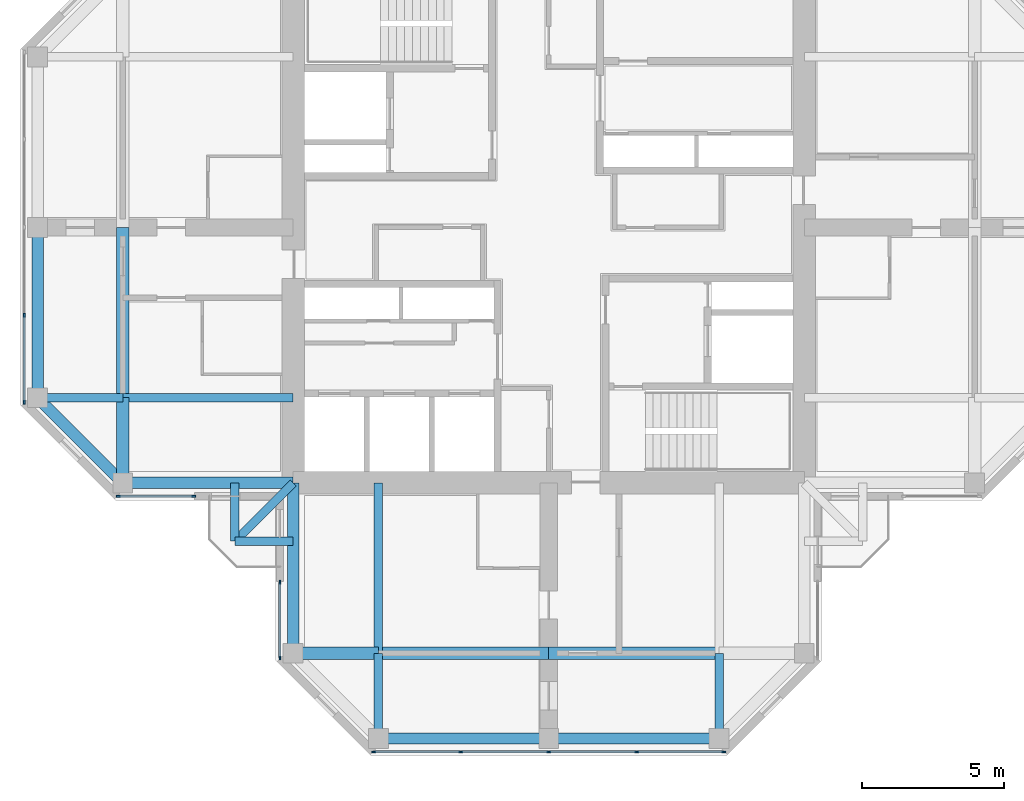
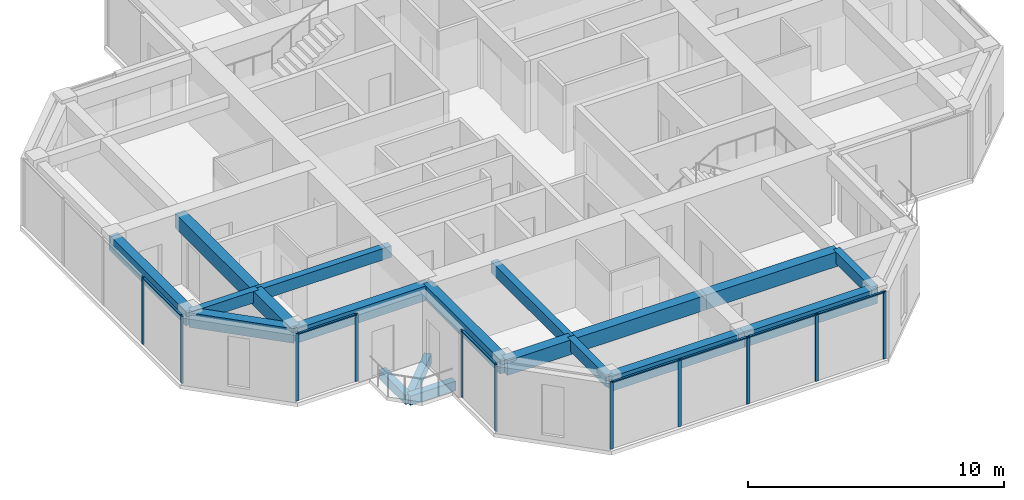
# One storey, part 2 of 13: 19 beams, 18 members, 4 elements without a shape of their own.
"""IFC4 building model written with IfcOpenShell, lengths in metres."""

from ifc_helpers import new_model, si_unit, direction, frame, origin, origin_2d, place, context, subcontext, project, spatial, rectangle, extrude, material, material_profile, profile_set, type_object, element, aggregate, save


model = new_model("IFC4")

# Units and contexts
model_context = context("Model", 3, precision=1e-05, world=origin(), true_north=direction((0.0, 1.0)))
body_context = subcontext(model_context, "Body", "Model", "MODEL_VIEW")
ifc_project = project(units=[si_unit("LENGTHUNIT", "METRE"), si_unit("AREAUNIT", "SQUARE_METRE"), si_unit("VOLUMEUNIT", "CUBIC_METRE"), si_unit("PLANEANGLEUNIT", "RADIAN"), si_unit("MASSUNIT", "GRAM", prefix="KILO")], contexts=[model_context])

# Site, building, storey
site_placement = place(None, origin())
site = spatial("IfcSite", under=ifc_project, at=site_placement, CompositionType="ELEMENT")
building_placement = place(site_placement, origin())
building = spatial("IfcBuilding", under=site, at=building_placement, Name="Torre Cruceta", CompositionType="ELEMENT")
storey_placement = place(building_placement, frame((0.0, 0.0, 274.699951171875)))
storey = spatial("IfcBuildingStorey", under=building, at=storey_placement, Name="L71", CompositionType="ELEMENT", Elevation=274.699951171875)

# Beams
ifc_material_1 = material(Name="Concrete G60 (fck 60 MPa)", Category="concrete")
ifc_material_profile_1 = material_profile(ifc_material_1, rectangle(XDim=0.300048828125, YDim=0.449951171875, at=origin_2d()), Name="RC 300X450")
ifc_profile_set_1 = profile_set([ifc_material_profile_1], Name="Concrete G60 (fck 60 MPa)")
beam_type_1 = type_object("IfcBeamType", Name="BALCONY CANTILEVER BEAM RC 300X450", PredefinedType="BEAM", material=ifc_profile_set_1)
beam_1_placement = place(storey_placement, frame((-9.0, -9.0, -0.405029296875), z_axis=(-0.707106781187, -0.707106781187, 0.0), x_axis=(0.707106781187, -0.707106781187, 0.0)))
element("IfcBeam", 1, at=beam_1_placement, inside=storey, type_object=beam_type_1, Name="BB1 balcony beam L71 W", PredefinedType="BEAM", context=body_context, shape_type="SweptSolid", body=[
    extrude(rectangle(XDim=0.300048828125, YDim=0.449951171875, at=origin_2d()), origin(), (0.0, 0.0, 1.0), 2.89990234375),
])
for number, where, z_axis, x_axis, name in (
    (2, (-11.050537109375, -9.0, -0.405029296875), (0.0, -1.0, 0.0), (1.0, 0.0, 0.0), "BB1 balcony edge beam L71 W-X"),
    (3, (-9.0, -11.050537109375, -0.405029296875), (-1.0, 0.0, 0.0), (0.0, -1.0, 0.0), "BB1 balcony edge beam L71 W-Y"),
):
    element("IfcBeam", number, at=place(storey_placement, frame(where, z_axis=z_axis, x_axis=x_axis)), inside=storey, type_object=beam_type_1, Name=name, PredefinedType="BEAM", context=body_context, shape_type="SweptSolid", body=[
        extrude(rectangle(XDim=0.300048828125, YDim=0.449951171875, at=origin_2d()), origin(), (0.0, 0.0, 1.0), 2.050537109375),
    ])
ifc_material_2 = material(Name="Concrete G60 (fck 60 MPa)", Category="concrete")
ifc_material_profile_2 = material_profile(ifc_material_2, rectangle(XDim=0.300048828125, YDim=0.550048828125, at=origin_2d()), Name="RC 300X550")
ifc_profile_set_2 = profile_set([ifc_material_profile_2], Name="Concrete G60 (fck 60 MPa)")
beam_type_2 = type_object("IfcBeamType", Name="COLUMN LINE BEAM RC 300X550", PredefinedType="BEAM", material=ifc_profile_set_2)
beam_2_placement = place(storey_placement, frame((-6.0, -9.0, 2.945068359375), z_axis=(0.0, -1.0, 0.0), x_axis=(1.0, 0.0, 0.0)))
element("IfcBeam", 4, at=beam_2_placement, inside=storey, type_object=beam_type_2, Name="LB10 L71 S col- 1", PredefinedType="BEAM", context=body_context, shape_type="SweptSolid", body=[
    extrude(rectangle(XDim=0.300048828125, YDim=0.550048828125, at=origin_2d()), origin(), (0.0, 0.0, 1.0), 6.0),
])
for number, where, z_axis, x_axis, name in (
    (5, (-6.0, -15.0, 2.945068359375), (0.0, -1.0, 0.0), (1.0, 0.0, 0.0), "LB10 L71 S col- 2"),
    (6, (6.0, -15.0, 2.945068359375), (0.0, -1.0, 0.0), (1.0, 0.0, 0.0), "LB10 L71 S col+ 2"),
):
    element("IfcBeam", number, at=place(storey_placement, frame(where, z_axis=z_axis, x_axis=x_axis)), inside=storey, type_object=beam_type_2, Name=name, PredefinedType="BEAM", context=body_context, shape_type="SweptSolid", body=[
        extrude(rectangle(XDim=0.300048828125, YDim=0.550048828125, at=origin_2d()), origin(), (0.0, 0.0, 1.0), 3.0),
    ])
beam_3_placement = place(storey_placement, frame((-9.0, -6.0, 2.945068359375), z_axis=(-1.0, 0.0, 0.0), x_axis=(0.0, -1.0, 0.0)))
element("IfcBeam", 7, at=beam_3_placement, inside=storey, type_object=beam_type_2, Name="LB10 L71 W col+ 1", PredefinedType="BEAM", context=body_context, shape_type="SweptSolid", body=[
    extrude(rectangle(XDim=0.300048828125, YDim=0.550048828125, at=origin_2d()), origin(), (0.0, 0.0, 1.0), 6.0),
])
beam_4_placement = place(storey_placement, frame((-15.0, -6.0, 2.945068359375), z_axis=(-1.0, 0.0, 0.0), x_axis=(0.0, -1.0, 0.0)))
element("IfcBeam", 8, at=beam_4_placement, inside=storey, type_object=beam_type_2, Name="LB10 L71 W col+ 2", PredefinedType="BEAM", context=body_context, shape_type="SweptSolid", body=[
    extrude(rectangle(XDim=0.300048828125, YDim=0.550048828125, at=origin_2d()), origin(), (0.0, 0.0, 1.0), 3.0),
])
ifc_material_3 = material(Name="Concrete G60 (fck 60 MPa)", Category="concrete")
ifc_material_profile_3 = material_profile(ifc_material_3, rectangle(XDim=0.449951171875, YDim=0.699951171875, at=origin_2d()), Name="RC 450X700")
ifc_profile_set_3 = profile_set([ifc_material_profile_3], Name="Concrete G60 (fck 60 MPa)")
beam_type_3 = type_object("IfcBeamType", Name="CROSS BEAM RC 450X700", PredefinedType="BEAM", material=ifc_profile_set_3)
beam_5_placement = place(storey_placement, frame((-9.0, -15.0, 2.8701171875), z_axis=(1.0, 0.0, 0.0), x_axis=(0.0, 1.0, 0.0)))
element("IfcBeam", 9, at=beam_5_placement, inside=storey, type_object=beam_type_3, Name="GB8 L71 S cross15 1", PredefinedType="BEAM", context=body_context, shape_type="SweptSolid", body=[
    extrude(rectangle(XDim=0.449951171875, YDim=0.699951171875, at=origin_2d()), origin(), (0.0, 0.0, 1.0), 3.0),
])
for number, where, z_axis, x_axis, name in (
    (10, (-6.0, -15.0, 2.8701171875), (1.0, 0.0, 0.0), (0.0, 1.0, 0.0), "GB8 L71 S cross15 2"),
    (11, (0.0, -15.0, 2.8701171875), (1.0, 0.0, 0.0), (0.0, 1.0, 0.0), "GB8 L71 S cross15 3"),
    (12, (-15.0, 0.0, 2.8701171875), (0.0, -1.0, 0.0), (1.0, 0.0, 0.0), "GB8 L71 W cross15 3"),
):
    element("IfcBeam", number, at=place(storey_placement, frame(where, z_axis=z_axis, x_axis=x_axis)), inside=storey, type_object=beam_type_3, Name=name, PredefinedType="BEAM", context=body_context, shape_type="SweptSolid", body=[
        extrude(rectangle(XDim=0.449951171875, YDim=0.699951171875, at=origin_2d()), origin(), (0.0, 0.0, 1.0), 6.0),
    ])
beam_6_placement = place(storey_placement, frame((-15.0, -6.0, 2.8701171875), z_axis=(0.0, -1.0, 0.0), x_axis=(1.0, 0.0, 0.0)))
element("IfcBeam", 13, at=beam_6_placement, inside=storey, type_object=beam_type_3, Name="GB8 L71 W cross15 4", PredefinedType="BEAM", context=body_context, shape_type="SweptSolid", body=[
    extrude(rectangle(XDim=0.449951171875, YDim=0.699951171875, at=origin_2d()), origin(), (0.0, 0.0, 1.0), 3.0),
])

# Curtain wall, members
ifc_material_4 = material(Name="Aluminium unitised curtain wall", Category="aluminium")
curtain_wall_type = type_object("IfcCurtainWallType", Name="CURTAIN WALL CW-E CO-LIVING TOP", PredefinedType="USERDEFINED", material=ifc_material_4)
curtain_wall_1_placement = place(storey_placement, origin())
curtain_wall_1 = element("IfcCurtainWall", 14, at=curtain_wall_1_placement, inside=storey, type_object=curtain_wall_type, Name="CW-E L71 W tip 12", ObjectType="UNITISED", PredefinedType="USERDEFINED")
ifc_material_5 = material(Name="Aluminium mullion", Category="aluminium")
ifc_material_profile_4 = material_profile(ifc_material_5, rectangle(XDim=0.054931640625, YDim=0.139892578125, at=origin_2d()), Name="AL 55X140")
ifc_profile_set_4 = profile_set([ifc_material_profile_4], Name="Aluminium mullion")
member_type_1 = type_object("IfcMemberType", Name="CW-E MULLION 55X140", PredefinedType="MULLION", material=ifc_profile_set_4)
member_1_placement = place(storey_placement, frame((-18.469970703125, -3.097412109375, 0.0), z_axis=(0.0, 0.0, 1.0), x_axis=(1.0, 0.0, 0.0)))
member_1 = element("IfcMember", 15, at=member_1_placement, type_object=member_type_1, Name="CW-E mullion 4", PredefinedType="MULLION", context=body_context, shape_type="SweptSolid", body=[
    extrude(rectangle(XDim=0.054931640625, YDim=0.139892578125, at=origin_2d()), origin(), (0.0, 0.0, 1.0), 3.219970703125),
])
member_2_placement = place(storey_placement, frame((-18.469970703125, -6.167236328125, 0.0), z_axis=(0.0, 0.0, 1.0), x_axis=(1.0, 0.0, 0.0)))
member_2 = element("IfcMember", 16, at=member_2_placement, type_object=member_type_1, Name="CW-E mullion 5", PredefinedType="MULLION", context=body_context, shape_type="SweptSolid", body=[
    extrude(rectangle(XDim=0.054931640625, YDim=0.139892578125, at=origin_2d()), origin(), (0.0, 0.0, 1.0), 3.219970703125),
])

curtain_wall_2_placement = place(storey_placement, origin())
curtain_wall_2 = element("IfcCurtainWall", 17, at=curtain_wall_2_placement, inside=storey, type_object=curtain_wall_type, Name="CW-E L71 W side 14", ObjectType="UNITISED", PredefinedType="USERDEFINED")
member_3_placement = place(storey_placement, frame((-15.167236328125, -9.469970703125, 0.0), z_axis=(0.0, 0.0, 1.0), x_axis=(0.0, 1.0, 0.0)))
member_3 = element("IfcMember", 18, at=member_3_placement, type_object=member_type_1, Name="CW-E mullion 1", PredefinedType="MULLION", context=body_context, shape_type="SweptSolid", body=[
    extrude(rectangle(XDim=0.054931640625, YDim=0.139892578125, at=origin_2d()), origin(), (0.0, 0.0, 1.0), 3.219970703125),
])
member_4_placement = place(storey_placement, frame((-12.49755859375, -9.469970703125, 0.0), z_axis=(0.0, 0.0, 1.0), x_axis=(0.0, 1.0, 0.0)))
member_4 = element("IfcMember", 19, at=member_4_placement, type_object=member_type_1, Name="CW-E mullion 2", PredefinedType="MULLION", context=body_context, shape_type="SweptSolid", body=[
    extrude(rectangle(XDim=0.054931640625, YDim=0.139892578125, at=origin_2d()), origin(), (0.0, 0.0, 1.0), 3.219970703125),
])

curtain_wall_3_placement = place(storey_placement, origin())
curtain_wall_3 = element("IfcCurtainWall", 20, at=curtain_wall_3_placement, inside=storey, type_object=curtain_wall_type, Name="CW-E L71 S side 15", ObjectType="UNITISED", PredefinedType="USERDEFINED")
member_5_placement = place(storey_placement, frame((-9.469970703125, -12.49755859375, 0.0), z_axis=(0.0, 0.0, 1.0), x_axis=(1.0, 0.0, 0.0)))
member_5 = element("IfcMember", 21, at=member_5_placement, type_object=member_type_1, Name="CW-E mullion 1", PredefinedType="MULLION", context=body_context, shape_type="SweptSolid", body=[
    extrude(rectangle(XDim=0.054931640625, YDim=0.139892578125, at=origin_2d()), origin(), (0.0, 0.0, 1.0), 3.219970703125),
])
member_6_placement = place(storey_placement, frame((-9.469970703125, -15.167236328125, 0.0), z_axis=(0.0, 0.0, 1.0), x_axis=(1.0, 0.0, 0.0)))
member_6 = element("IfcMember", 22, at=member_6_placement, type_object=member_type_1, Name="CW-E mullion 2", PredefinedType="MULLION", context=body_context, shape_type="SweptSolid", body=[
    extrude(rectangle(XDim=0.054931640625, YDim=0.139892578125, at=origin_2d()), origin(), (0.0, 0.0, 1.0), 3.219970703125),
])

curtain_wall_4_placement = place(storey_placement, origin())
curtain_wall_4 = element("IfcCurtainWall", 23, at=curtain_wall_4_placement, inside=storey, type_object=curtain_wall_type, Name="CW-E L71 S tip 17", ObjectType="UNITISED", PredefinedType="USERDEFINED")
member_7_placement = place(storey_placement, frame((-6.167236328125, -18.469970703125, 0.0), z_axis=(0.0, 0.0, 1.0), x_axis=(0.0, 1.0, 0.0)))
member_7 = element("IfcMember", 24, at=member_7_placement, type_object=member_type_1, Name="CW-E mullion 1", PredefinedType="MULLION", context=body_context, shape_type="SweptSolid", body=[
    extrude(rectangle(XDim=0.054931640625, YDim=0.139892578125, at=origin_2d()), origin(), (0.0, 0.0, 1.0), 3.219970703125),
])
member_8_placement = place(storey_placement, frame((-3.097412109375, -18.469970703125, 0.0), z_axis=(0.0, 0.0, 1.0), x_axis=(0.0, 1.0, 0.0)))
member_8 = element("IfcMember", 25, at=member_8_placement, type_object=member_type_1, Name="CW-E mullion 2", PredefinedType="MULLION", context=body_context, shape_type="SweptSolid", body=[
    extrude(rectangle(XDim=0.054931640625, YDim=0.139892578125, at=origin_2d()), origin(), (0.0, 0.0, 1.0), 3.219970703125),
])
member_9_placement = place(storey_placement, frame((0.0, -18.469970703125, 0.0), z_axis=(0.0, 0.0, 1.0), x_axis=(0.0, 1.0, 0.0)))
member_9 = element("IfcMember", 26, at=member_9_placement, type_object=member_type_1, Name="CW-E mullion 3", PredefinedType="MULLION", context=body_context, shape_type="SweptSolid", body=[
    extrude(rectangle(XDim=0.054931640625, YDim=0.139892578125, at=origin_2d()), origin(), (0.0, 0.0, 1.0), 3.219970703125),
])
member_10_placement = place(storey_placement, frame((3.097412109375, -18.469970703125, 0.0), z_axis=(0.0, 0.0, 1.0), x_axis=(0.0, 1.0, 0.0)))
member_10 = element("IfcMember", 27, at=member_10_placement, type_object=member_type_1, Name="CW-E mullion 4", PredefinedType="MULLION", context=body_context, shape_type="SweptSolid", body=[
    extrude(rectangle(XDim=0.054931640625, YDim=0.139892578125, at=origin_2d()), origin(), (0.0, 0.0, 1.0), 3.219970703125),
])
member_11_placement = place(storey_placement, frame((6.167236328125, -18.469970703125, 0.0), z_axis=(0.0, 0.0, 1.0), x_axis=(0.0, 1.0, 0.0)))
member_11 = element("IfcMember", 28, at=member_11_placement, type_object=member_type_1, Name="CW-E mullion 5", PredefinedType="MULLION", context=body_context, shape_type="SweptSolid", body=[
    extrude(rectangle(XDim=0.054931640625, YDim=0.139892578125, at=origin_2d()), origin(), (0.0, 0.0, 1.0), 3.219970703125),
])

# Member
ifc_material_6 = material(Name="Aluminium transom", Category="aluminium")
ifc_material_profile_5 = material_profile(ifc_material_6, rectangle(XDim=0.090087890625, YDim=0.054931640625, at=origin_2d()), Name="AL 90X55")
ifc_profile_set_5 = profile_set([ifc_material_profile_5], Name="Aluminium transom")
member_type_2 = type_object("IfcMemberType", Name="CW-E TRANSOM 55X90", PredefinedType="USERDEFINED", material=ifc_profile_set_5)
member_12_placement = place(storey_placement, frame((-18.469970703125, -3.124755859375, 3.192626953125), z_axis=(0.0, -1.0, 0.0), x_axis=(1.0, 0.0, 0.0)))
member_12 = element("IfcMember", 29, at=member_12_placement, type_object=member_type_2, Name="CW-E transom 4", ObjectType="TRANSOM", PredefinedType="USERDEFINED", context=body_context, shape_type="SweptSolid", body=[
    extrude(rectangle(XDim=0.090087890625, YDim=0.054931640625, at=origin_2d()), origin(), (0.0, 0.0, 1.0), 3.014892578125),
])

aggregate(curtain_wall_1, [member_1, member_2, member_12])

member_13_placement = place(storey_placement, frame((-15.1396484375, -9.469970703125, 3.192626953125), z_axis=(1.0, 0.0, 0.0), x_axis=(0.0, 1.0, 0.0)))
member_13 = element("IfcMember", 30, at=member_13_placement, type_object=member_type_2, Name="CW-E transom 1", ObjectType="TRANSOM", PredefinedType="USERDEFINED", context=body_context, shape_type="SweptSolid", body=[
    extrude(rectangle(XDim=0.090087890625, YDim=0.054931640625, at=origin_2d()), origin(), (0.0, 0.0, 1.0), 2.61474609375),
])

aggregate(curtain_wall_2, [member_3, member_4, member_13])

member_14_placement = place(storey_placement, frame((-9.469970703125, -12.52490234375, 3.192626953125), z_axis=(0.0, -1.0, 0.0), x_axis=(1.0, 0.0, 0.0)))
member_14 = element("IfcMember", 31, at=member_14_placement, type_object=member_type_2, Name="CW-E transom 1", ObjectType="TRANSOM", PredefinedType="USERDEFINED", context=body_context, shape_type="SweptSolid", body=[
    extrude(rectangle(XDim=0.090087890625, YDim=0.054931640625, at=origin_2d()), origin(), (0.0, 0.0, 1.0), 2.61474609375),
])

aggregate(curtain_wall_3, [member_5, member_6, member_14])

member_15_placement = place(storey_placement, frame((-6.1396484375, -18.469970703125, 3.192626953125), z_axis=(1.0, 0.0, 0.0), x_axis=(0.0, 1.0, 0.0)))
member_15 = element("IfcMember", 32, at=member_15_placement, type_object=member_type_2, Name="CW-E transom 1", ObjectType="TRANSOM", PredefinedType="USERDEFINED", context=body_context, shape_type="SweptSolid", body=[
    extrude(rectangle(XDim=0.090087890625, YDim=0.054931640625, at=origin_2d()), origin(), (0.0, 0.0, 1.0), 3.014892578125),
])

member_16_placement = place(storey_placement, frame((-3.06982421875, -18.469970703125, 3.192626953125), z_axis=(1.0, 0.0, 0.0), x_axis=(0.0, 1.0, 0.0)))
member_16 = element("IfcMember", 33, at=member_16_placement, type_object=member_type_2, Name="CW-E transom 2", ObjectType="TRANSOM", PredefinedType="USERDEFINED", context=body_context, shape_type="SweptSolid", body=[
    extrude(rectangle(XDim=0.090087890625, YDim=0.054931640625, at=origin_2d()), origin(), (0.0, 0.0, 1.0), 3.042236328125),
])

member_17_placement = place(storey_placement, frame((0.027587890625, -18.469970703125, 3.192626953125), z_axis=(1.0, 0.0, 0.0), x_axis=(0.0, 1.0, 0.0)))
member_17 = element("IfcMember", 34, at=member_17_placement, type_object=member_type_2, Name="CW-E transom 3", ObjectType="TRANSOM", PredefinedType="USERDEFINED", context=body_context, shape_type="SweptSolid", body=[
    extrude(rectangle(XDim=0.090087890625, YDim=0.054931640625, at=origin_2d()), origin(), (0.0, 0.0, 1.0), 3.042236328125),
])

member_18_placement = place(storey_placement, frame((3.124755859375, -18.469970703125, 3.192626953125), z_axis=(1.0, 0.0, 0.0), x_axis=(0.0, 1.0, 0.0)))
member_18 = element("IfcMember", 35, at=member_18_placement, type_object=member_type_2, Name="CW-E transom 4", ObjectType="TRANSOM", PredefinedType="USERDEFINED", context=body_context, shape_type="SweptSolid", body=[
    extrude(rectangle(XDim=0.090087890625, YDim=0.054931640625, at=origin_2d()), origin(), (0.0, 0.0, 1.0), 3.014892578125),
])

aggregate(curtain_wall_4, [member_7, member_8, member_9, member_10, member_11, member_15, member_16, member_17, member_18])

# Beams
ifc_material_7 = material(Name="Concrete G60 (fck 60 MPa)", Category="concrete")
ifc_material_profile_6 = material_profile(ifc_material_7, rectangle(XDim=0.39990234375, YDim=0.699951171875, at=origin_2d()), Name="RC 400X700")
ifc_profile_set_6 = profile_set([ifc_material_profile_6], Name="Concrete G60 (fck 60 MPa)")
beam_type_4 = type_object("IfcBeamType", Name="SPANDREL BEAM RC 400X700", PredefinedType="SPANDREL", material=ifc_profile_set_6)
for number, where, z_axis, x_axis, name in (
    (36, (-9.0, -9.0, 2.8701171875), (0.0, -1.0, 0.0), (1.0, 0.0, 0.0), "SB8 L71 S side- 1"),
    (37, (-6.0, -18.0, 2.8701171875), (1.0, 0.0, 0.0), (0.0, 1.0, 0.0), "SB8 L71 S tip 1"),
    (38, (0.0, -18.0, 2.8701171875), (1.0, 0.0, 0.0), (0.0, 1.0, 0.0), "SB8 L71 S tip 2"),
    (39, (-9.0, -9.0, 2.8701171875), (-1.0, 0.0, 0.0), (0.0, -1.0, 0.0), "SB8 L71 W side+ 1"),
):
    element("IfcBeam", number, at=place(storey_placement, frame(where, z_axis=z_axis, x_axis=x_axis)), inside=storey, type_object=beam_type_4, Name=name, PredefinedType="SPANDREL", context=body_context, shape_type="SweptSolid", body=[
        extrude(rectangle(XDim=0.39990234375, YDim=0.699951171875, at=origin_2d()), origin(), (0.0, 0.0, 1.0), 6.0),
    ])
beam_7_placement = place(storey_placement, frame((-15.0, -9.0, 2.8701171875), z_axis=(-0.707106781187, 0.707106781187, 0.0), x_axis=(-0.707106781187, -0.707106781187, 0.0)))
element("IfcBeam", 40, at=beam_7_placement, inside=storey, type_object=beam_type_4, Name="SB8 L71 W side+ 2", PredefinedType="SPANDREL", context=body_context, shape_type="SweptSolid", body=[
    extrude(rectangle(XDim=0.39990234375, YDim=0.699951171875, at=origin_2d()), origin(), (0.0, 0.0, 1.0), 4.24267578125),
])
beam_8_placement = place(storey_placement, frame((-18.0, 0.0, 2.8701171875), z_axis=(0.0, -1.0, 0.0), x_axis=(1.0, 0.0, 0.0)))
element("IfcBeam", 41, at=beam_8_placement, inside=storey, type_object=beam_type_4, Name="SB8 L71 W tip 2", PredefinedType="SPANDREL", context=body_context, shape_type="SweptSolid", body=[
    extrude(rectangle(XDim=0.39990234375, YDim=0.699951171875, at=origin_2d()), origin(), (0.0, 0.0, 1.0), 6.0),
])

save(model, "model.ifc")
